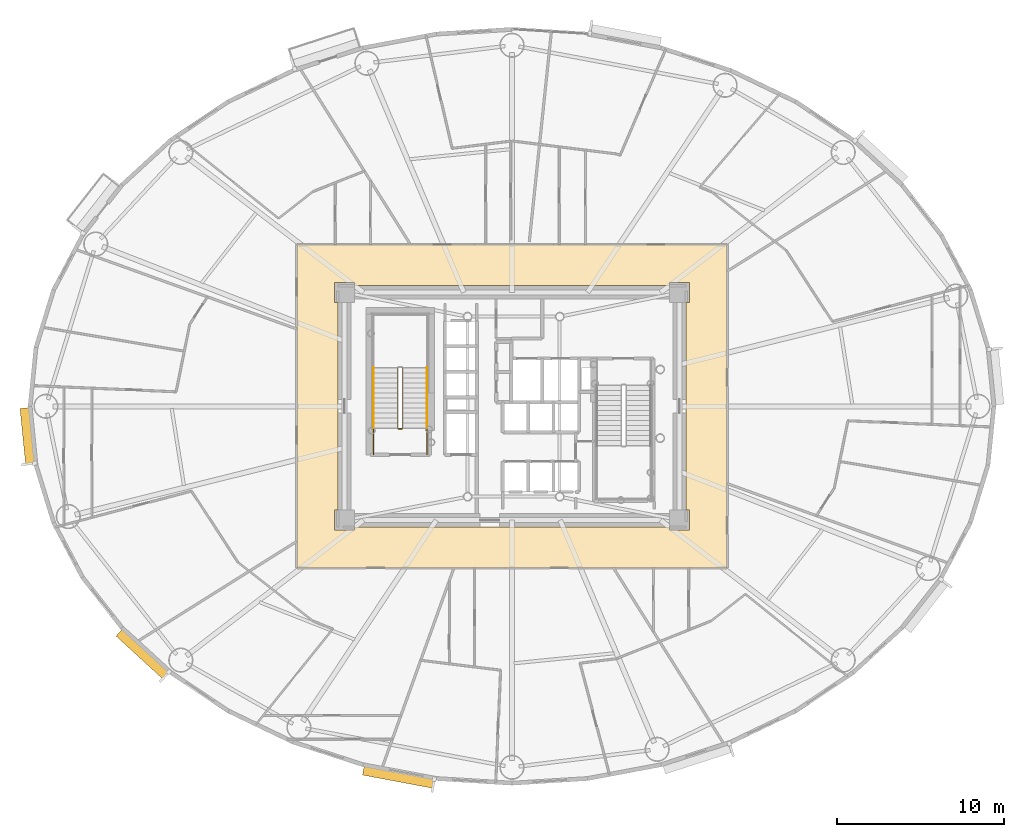
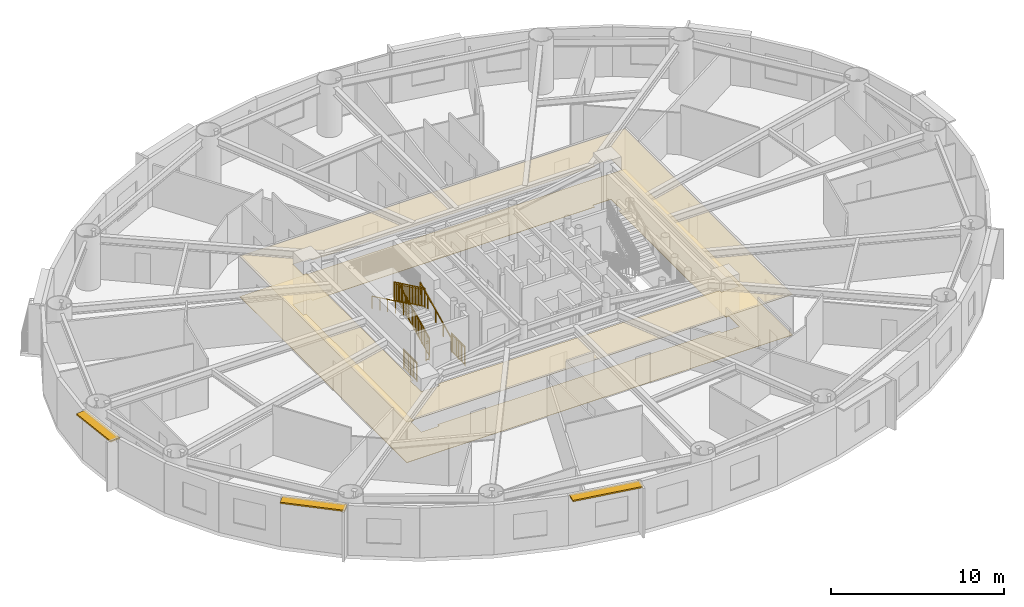
# One storey, part 14 of 19: 7 railings, 3 shading devices, 2 coverings.
"""IFC4 building model written with IfcOpenShell, lengths in metres."""

from ifc_helpers import new_model, si_unit, direction, frame, origin, origin_2d, place, context, subcontext, project, spatial, polyline, rectangle, outline, extrude, source, transform, mapped, material, layer, layer_set, type_object, element, save


model = new_model("IFC4")

# Units and contexts
model_context = context("Model", 3, precision=1e-05, world=origin(), true_north=direction((0.0, 1.0)))
body_context = subcontext(model_context, "Body", "Model", "MODEL_VIEW")
ifc_project = project(units=[si_unit("LENGTHUNIT", "METRE"), si_unit("AREAUNIT", "SQUARE_METRE"), si_unit("VOLUMEUNIT", "CUBIC_METRE"), si_unit("PLANEANGLEUNIT", "RADIAN"), si_unit("MASSUNIT", "GRAM", prefix="KILO")], contexts=[model_context])

# Site, building, storey
site_placement = place(None, origin())
site = spatial("IfcSite", under=ifc_project, at=site_placement, CompositionType="ELEMENT")
building_placement = place(site_placement, origin())
building = spatial("IfcBuilding", under=site, at=building_placement, Name="Linh Dai School and Residence Tower", CompositionType="ELEMENT")
storey_placement = place(building_placement, frame((0.0, 0.0, 119.699951171875)))
storey = spatial("IfcBuildingStorey", under=building, at=storey_placement, Name="L28", CompositionType="ELEMENT", Elevation=119.699951171875)

# Coverings
ifc_material_1 = material(Name="Mineral Fibre Acoustic Suspended Ceiling", Category="masonry")
ifc_layer_1 = layer(ifc_material_1, 0.02001953125)
ifc_layer_set_1 = layer_set([ifc_layer_1], Name="Mineral Fibre Acoustic Suspended Ceiling")
covering_type_1 = type_object("IfcCoveringType", Name="COV-CEIL-AC-20", PredefinedType="CEILING", material=ifc_layer_set_1)
covering_1_placement = place(storey_placement, frame((0.0, 0.0, 2.85009765625)))
element("IfcCovering", 1, at=covering_1_placement, inside=storey, type_object=covering_type_1, Name="L28 Residential Floor Corridor Suspended Ceiling", PredefinedType="CEILING", context=body_context, shape_type="SweptSolid", body=[
    extrude(outline(polyline([(48.85009765625, 36.64990234375), (48.85009765625, 17.35009765625), (23.14990234375, 17.35009765625), (23.14990234375, 36.64990234375), (48.85009765625, 36.64990234375)]), holes=[polyline([(26.60009765625, 34.199951171875), (26.60009765625, 34.39990234375), (25.39990234375, 34.39990234375), (25.39990234375, 33.199951171875), (25.60009765625, 33.199951171875), (25.60009765625, 20.800048828125), (25.39990234375, 20.800048828125), (25.39990234375, 19.60009765625), (26.60009765625, 19.60009765625), (26.60009765625, 19.800048828125), (45.39990234375, 19.800048828125), (45.39990234375, 19.60009765625), (46.60009765625, 19.60009765625), (46.60009765625, 20.800048828125), (46.39990234375, 20.800048828125), (46.39990234375, 33.199951171875), (46.60009765625, 33.199951171875), (46.60009765625, 34.39990234375), (45.39990234375, 34.39990234375), (45.39990234375, 34.199951171875), (26.60009765625, 34.199951171875)])]), origin(), (0.0, 0.0, 1.0), 0.02001953125),
])
ifc_material_2 = material(Name="Polished Terrazzo Floor Finish", Category="masonry")
ifc_layer_2 = layer(ifc_material_2, 0.02490234375)
ifc_layer_set_2 = layer_set([ifc_layer_2], Name="Polished Terrazzo Floor Finish")
covering_type_2 = type_object("IfcCoveringType", Name="COV-FLR-TRZ-25", PredefinedType="FLOORING", material=ifc_layer_set_2)
covering_2_placement = place(storey_placement, origin())
element("IfcCovering", 2, at=covering_2_placement, inside=storey, type_object=covering_type_2, Name="L28 Residential Floor Corridor Floor Finish", PredefinedType="FLOORING", context=body_context, shape_type="SweptSolid", body=[
    extrude(outline(polyline([(48.85009765625, 36.64990234375), (48.85009765625, 17.35009765625), (23.14990234375, 17.35009765625), (23.14990234375, 36.64990234375), (48.85009765625, 36.64990234375)]), holes=[polyline([(26.60009765625, 34.199951171875), (26.60009765625, 34.39990234375), (25.39990234375, 34.39990234375), (25.39990234375, 33.199951171875), (25.60009765625, 33.199951171875), (25.60009765625, 20.800048828125), (25.39990234375, 20.800048828125), (25.39990234375, 19.60009765625), (26.60009765625, 19.60009765625), (26.60009765625, 19.800048828125), (45.39990234375, 19.800048828125), (45.39990234375, 19.60009765625), (46.60009765625, 19.60009765625), (46.60009765625, 20.800048828125), (46.39990234375, 20.800048828125), (46.39990234375, 33.199951171875), (46.60009765625, 33.199951171875), (46.60009765625, 34.39990234375), (45.39990234375, 34.39990234375), (45.39990234375, 34.199951171875), (26.60009765625, 34.199951171875)])]), origin(), (0.0, 0.0, 1.0), 0.02001953125),
])

# Shading devices
ifc_material_3 = material(Name="Terracotta Ceramic Sunshade", Category="masonry")
ifc_layer_3 = layer(ifc_material_3, 0.10009765625)
ifc_layer_set_3 = layer_set([ifc_layer_3], Name="Terracotta Ceramic Sunshade")
shading_device_type = type_object("IfcShadingDeviceType", Name="SHD-TC-650", PredefinedType="USERDEFINED", material=ifc_layer_set_3)
shared_shape_1 = source(origin(), body_context, "Body", "SweptSolid", [
    extrude(rectangle(XDim=3.3916015625, YDim=0.64990234375, at=origin_2d()), origin(), (0.0, 0.0, 1.0), 0.10009765625),
])
shading_device_1_placement = place(storey_placement, frame((7.1181640625, 25.2138671875, 3.3798828125), z_axis=(0.0, 0.0, 1.0), x_axis=(-0.100007297192, 0.994986703684, 0.0)))
element("IfcShadingDevice", 3, at=shading_device_1_placement, inside=storey, type_object=shading_device_type, Name="L28 Terracotta Horizontal Sunshade Band 21", ObjectType="SUNSHADE", PredefinedType="USERDEFINED", context=body_context, shape_type="MappedRepresentation", body=[
    mapped(shared_shape_1, transform((0.0, 0.0, 0.0), x_axis=(1.0, 0.0, 0.0), y_axis=(0.0, 1.0, 0.0), z_axis=(0.0, 0.0, 1.0), scale=1.0)),
])
shared_shape_2 = source(origin(), body_context, "Body", "SweptSolid", [
    extrude(rectangle(XDim=3.81689453125, YDim=0.64990234375, at=origin_2d()), origin(), (0.0, 0.0, 1.0), 0.10009765625),
])
shading_device_2_placement = place(storey_placement, frame((13.983642578125, 12.22998046875, 3.3798828125), z_axis=(0.0, 0.0, 1.0), x_axis=(-0.737100266172, 0.675783395482, 0.0)))
element("IfcShadingDevice", 4, at=shading_device_2_placement, inside=storey, type_object=shading_device_type, Name="L28 Terracotta Horizontal Sunshade Band 25", ObjectType="SUNSHADE", PredefinedType="USERDEFINED", context=body_context, shape_type="MappedRepresentation", body=[
    mapped(shared_shape_2, transform((0.0, 0.0, 0.0), x_axis=(1.0, 0.0, 0.0), y_axis=(0.0, 1.0, 0.0), z_axis=(0.0, 0.0, 1.0), scale=1.0)),
])
shared_shape_3 = source(origin(), body_context, "Body", "SweptSolid", [
    extrude(rectangle(XDim=4.292236328125, YDim=0.64990234375, at=origin_2d()), origin(), (0.0, 0.0, 1.0), 0.10009765625),
])
shading_device_3_placement = place(storey_placement, frame((29.24462890625, 4.905517578125, 3.3798828125), z_axis=(0.0, 0.0, 1.0), x_axis=(-0.982784673718, 0.18475466193, 0.0)))
element("IfcShadingDevice", 5, at=shading_device_3_placement, inside=storey, type_object=shading_device_type, Name="L28 Terracotta Horizontal Sunshade Band 29", ObjectType="SUNSHADE", PredefinedType="USERDEFINED", context=body_context, shape_type="MappedRepresentation", body=[
    mapped(shared_shape_3, transform((0.0, 0.0, 0.0), x_axis=(1.0, 0.0, 0.0), y_axis=(0.0, 1.0, 0.0), z_axis=(0.0, 0.0, 1.0), scale=1.0)),
])

# Railings
ifc_material_4 = material(Name="Structural Steel S355JR", Category="steel")
railing_type_1 = type_object("IfcRailingType", Name="RL-ST-GUARD-1400", PredefinedType="GUARDRAIL", material=ifc_material_4)
shared_shape_4 = source(origin(), body_context, "Body", "SweptSolid", [
    extrude(rectangle(XDim=0.048095703125, YDim=0.048095703125, at=origin_2d()), frame((0.0, 0.0, 1.3759765625), z_axis=(-1.0, 0.0, 0.0), x_axis=(0.0, -1.0, 0.0)), (0.0, 0.0, 1.0), 0.199951171875),
    extrude(rectangle(XDim=0.048095703125, YDim=0.048095703125, at=origin_2d()), frame((0.0, 0.0, 0.10009765625), z_axis=(-1.0, 0.0, 0.0), x_axis=(0.0, -1.0, 0.0)), (0.0, 0.0, 1.0), 0.199951171875),
    extrude(rectangle(XDim=0.030029296875, YDim=0.030029296875, at=origin_2d()), frame((0.0, 0.0, 1.239990234375), z_axis=(-1.0, 0.0, 0.0), x_axis=(0.0, -1.0, 0.0)), (0.0, 0.0, 1.0), 0.199951171875),
    extrude(rectangle(XDim=0.0419921875, YDim=0.0419921875, at=origin_2d()), origin(), (0.0, 0.0, 1.0), 1.3759765625),
    extrude(rectangle(XDim=0.0419921875, YDim=0.0419921875, at=origin_2d()), frame((-0.199951171875, 0.0, 0.0)), (0.0, 0.0, 1.0), 1.3759765625),
])
railing_1_placement = place(storey_placement, frame((29.429931640625, 25.64990234375, 0.0)))
element("IfcRailing", 6, at=railing_1_placement, inside=storey, type_object=railing_type_1, Name="L28 ST1 stair guard 7", PredefinedType="GUARDRAIL", context=body_context, shape_type="MappedRepresentation", body=[
    mapped(shared_shape_4, transform((0.0, 0.0, 0.0), x_axis=(1.0, 0.0, 0.0), y_axis=(0.0, 1.0, 0.0), z_axis=(0.0, 0.0, 1.0), scale=1.0)),
])
shared_shape_5 = source(origin(), body_context, "Body", "SweptSolid", [
    extrude(rectangle(XDim=0.048095703125, YDim=0.048095703125, at=origin_2d()), frame((0.0, 0.0, 1.3759765625), z_axis=(0.0, 1.0, 0.0), x_axis=(-1.0, 0.0, 0.0)), (0.0, 0.0, 1.0), 1.599853515625),
    extrude(rectangle(XDim=0.048095703125, YDim=0.048095703125, at=origin_2d()), frame((0.0, 0.0, 0.10009765625), z_axis=(0.0, 1.0, 0.0), x_axis=(-1.0, 0.0, 0.0)), (0.0, 0.0, 1.0), 1.599853515625),
    extrude(rectangle(XDim=0.030029296875, YDim=0.030029296875, at=origin_2d()), frame((0.0, 0.0, 1.239990234375), z_axis=(0.0, 1.0, 0.0), x_axis=(-1.0, 0.0, 0.0)), (0.0, 0.0, 1.0), 1.599853515625),
    extrude(rectangle(XDim=0.02001953125, YDim=0.02001953125, at=origin_2d()), frame((0.0, 0.093994140625, 0.10009765625)), (0.0, 0.0, 1.0), 1.251708984375),
    extrude(rectangle(XDim=0.02001953125, YDim=0.02001953125, at=origin_2d()), frame((0.0, 0.188232421875, 0.10009765625)), (0.0, 0.0, 1.0), 1.251708984375),
    extrude(rectangle(XDim=0.02001953125, YDim=0.02001953125, at=origin_2d()), frame((0.0, 0.2822265625, 0.10009765625)), (0.0, 0.0, 1.0), 1.251708984375),
    extrude(rectangle(XDim=0.02001953125, YDim=0.02001953125, at=origin_2d()), frame((0.0, 0.37646484375, 0.10009765625)), (0.0, 0.0, 1.0), 1.251708984375),
    extrude(rectangle(XDim=0.02001953125, YDim=0.02001953125, at=origin_2d()), frame((0.0, 0.470458984375, 0.10009765625)), (0.0, 0.0, 1.0), 1.251708984375),
    extrude(rectangle(XDim=0.02001953125, YDim=0.02001953125, at=origin_2d()), frame((0.0, 0.564697265625, 0.10009765625)), (0.0, 0.0, 1.0), 1.251708984375),
    extrude(rectangle(XDim=0.02001953125, YDim=0.02001953125, at=origin_2d()), frame((0.0, 0.65869140625, 0.10009765625)), (0.0, 0.0, 1.0), 1.251708984375),
    extrude(rectangle(XDim=0.02001953125, YDim=0.02001953125, at=origin_2d()), frame((0.0, 0.7529296875, 0.10009765625)), (0.0, 0.0, 1.0), 1.251708984375),
    extrude(rectangle(XDim=0.02001953125, YDim=0.02001953125, at=origin_2d()), frame((0.0, 0.846923828125, 0.10009765625)), (0.0, 0.0, 1.0), 1.251708984375),
    extrude(rectangle(XDim=0.02001953125, YDim=0.02001953125, at=origin_2d()), frame((0.0, 0.941162109375, 0.10009765625)), (0.0, 0.0, 1.0), 1.251708984375),
    extrude(rectangle(XDim=0.02001953125, YDim=0.02001953125, at=origin_2d()), frame((0.0, 1.03515625, 0.10009765625)), (0.0, 0.0, 1.0), 1.251708984375),
    extrude(rectangle(XDim=0.02001953125, YDim=0.02001953125, at=origin_2d()), frame((0.0, 1.12939453125, 0.10009765625)), (0.0, 0.0, 1.0), 1.251708984375),
    extrude(rectangle(XDim=0.02001953125, YDim=0.02001953125, at=origin_2d()), frame((0.0, 1.223388671875, 0.10009765625)), (0.0, 0.0, 1.0), 1.251708984375),
    extrude(rectangle(XDim=0.02001953125, YDim=0.02001953125, at=origin_2d()), frame((0.0, 1.317626953125, 0.10009765625)), (0.0, 0.0, 1.0), 1.251708984375),
    extrude(rectangle(XDim=0.02001953125, YDim=0.02001953125, at=origin_2d()), frame((0.0, 1.41162109375, 0.10009765625)), (0.0, 0.0, 1.0), 1.251708984375),
    extrude(rectangle(XDim=0.02001953125, YDim=0.02001953125, at=origin_2d()), frame((0.0, 1.505859375, 0.10009765625)), (0.0, 0.0, 1.0), 1.251708984375),
    extrude(rectangle(XDim=0.0419921875, YDim=0.0419921875, at=origin_2d()), origin(), (0.0, 0.0, 1.0), 1.3759765625),
    extrude(rectangle(XDim=0.0419921875, YDim=0.0419921875, at=origin_2d()), frame((0.0, 0.7998046875, 0.0)), (0.0, 0.0, 1.0), 1.3759765625),
    extrude(rectangle(XDim=0.0419921875, YDim=0.0419921875, at=origin_2d()), frame((0.0, 1.599853515625, 0.0)), (0.0, 0.0, 1.0), 1.3759765625),
])
for number, where, name in (
    (7, (30.929931640625, 24.10009765625, 0.0), "L28 ST1 stair guard 8"),
    (8, (27.72998046875, 24.10009765625, 0.0), "L28 ST1 stair guard 9"),
):
    element("IfcRailing", number, at=place(storey_placement, frame(where)), inside=storey, type_object=railing_type_1, Name=name, PredefinedType="GUARDRAIL", context=body_context, shape_type="MappedRepresentation", body=[
        mapped(shared_shape_5, transform((0.0, 0.0, 0.0), x_axis=(1.0, 0.0, 0.0), y_axis=(0.0, 1.0, 0.0), z_axis=(0.0, 0.0, 1.0), scale=1.0)),
    ])
shared_shape_6 = source(origin(), body_context, "Body", "SweptSolid", [
    extrude(rectangle(XDim=0.048095703125, YDim=0.048095703125, at=origin_2d()), frame((0.0, 0.0, 1.3759765625), z_axis=(0.0, 0.901262522062, 0.433273431364), x_axis=(-1.0, 0.0, 0.0)), (0.0, 0.0, 1.0), 3.994384765625),
    extrude(rectangle(XDim=0.048095703125, YDim=0.048095703125, at=origin_2d()), frame((0.0, 0.0, 0.10009765625), z_axis=(0.0, 0.901262522062, 0.433273431364), x_axis=(-1.0, 0.0, 0.0)), (0.0, 0.0, 1.0), 3.994384765625),
    extrude(rectangle(XDim=0.030029296875, YDim=0.030029296875, at=origin_2d()), frame((0.0, 0.0, 1.239990234375), z_axis=(0.0, 0.901262522062, 0.433273431364), x_axis=(-1.0, 0.0, 0.0)), (0.0, 0.0, 1.0), 3.994384765625),
    extrude(rectangle(XDim=0.02001953125, YDim=0.02001953125, at=origin_2d()), frame((0.0, 0.087890625, 0.142333984375)), (0.0, 0.0, 1.0), 1.251708984375),
    extrude(rectangle(XDim=0.02001953125, YDim=0.02001953125, at=origin_2d()), frame((0.0, 0.175537109375, 0.1845703125)), (0.0, 0.0, 1.0), 1.251708984375),
    extrude(rectangle(XDim=0.02001953125, YDim=0.02001953125, at=origin_2d()), frame((0.0, 0.263427734375, 0.226806640625)), (0.0, 0.0, 1.0), 1.251708984375),
    extrude(rectangle(XDim=0.02001953125, YDim=0.02001953125, at=origin_2d()), frame((0.0, 0.351318359375, 0.26904296875)), (0.0, 0.0, 1.0), 1.251708984375),
    extrude(rectangle(XDim=0.02001953125, YDim=0.02001953125, at=origin_2d()), frame((0.0, 0.43896484375, 0.311279296875)), (0.0, 0.0, 1.0), 1.251708984375),
    extrude(rectangle(XDim=0.02001953125, YDim=0.02001953125, at=origin_2d()), frame((0.0, 0.52685546875, 0.353271484375)), (0.0, 0.0, 1.0), 1.251708984375),
    extrude(rectangle(XDim=0.02001953125, YDim=0.02001953125, at=origin_2d()), frame((0.0, 0.61474609375, 0.3955078125)), (0.0, 0.0, 1.0), 1.251708984375),
    extrude(rectangle(XDim=0.02001953125, YDim=0.02001953125, at=origin_2d()), frame((0.0, 0.702392578125, 0.437744140625)), (0.0, 0.0, 1.0), 1.251708984375),
    extrude(rectangle(XDim=0.02001953125, YDim=0.02001953125, at=origin_2d()), frame((0.0, 0.790283203125, 0.47998046875)), (0.0, 0.0, 1.0), 1.251708984375),
    extrude(rectangle(XDim=0.02001953125, YDim=0.02001953125, at=origin_2d()), frame((0.0, 0.9658203125, 0.564453125)), (0.0, 0.0, 1.0), 1.251708984375),
    extrude(rectangle(XDim=0.02001953125, YDim=0.02001953125, at=origin_2d()), frame((0.0, 1.0537109375, 0.606689453125)), (0.0, 0.0, 1.0), 1.251708984375),
    extrude(rectangle(XDim=0.02001953125, YDim=0.02001953125, at=origin_2d()), frame((0.0, 1.1416015625, 0.64892578125)), (0.0, 0.0, 1.0), 1.251708984375),
    extrude(rectangle(XDim=0.02001953125, YDim=0.02001953125, at=origin_2d()), frame((0.0, 1.229248046875, 0.691162109375)), (0.0, 0.0, 1.0), 1.251708984375),
    extrude(rectangle(XDim=0.02001953125, YDim=0.02001953125, at=origin_2d()), frame((0.0, 1.317138671875, 0.7333984375)), (0.0, 0.0, 1.0), 1.251708984375),
    extrude(rectangle(XDim=0.02001953125, YDim=0.02001953125, at=origin_2d()), frame((0.0, 1.405029296875, 0.775390625)), (0.0, 0.0, 1.0), 1.251708984375),
    extrude(rectangle(XDim=0.02001953125, YDim=0.02001953125, at=origin_2d()), frame((0.0, 1.49267578125, 0.817626953125)), (0.0, 0.0, 1.0), 1.251708984375),
    extrude(rectangle(XDim=0.02001953125, YDim=0.02001953125, at=origin_2d()), frame((0.0, 1.58056640625, 0.85986328125)), (0.0, 0.0, 1.0), 1.251708984375),
    extrude(rectangle(XDim=0.02001953125, YDim=0.02001953125, at=origin_2d()), frame((0.0, 1.66845703125, 0.902099609375)), (0.0, 0.0, 1.0), 1.251708984375),
    extrude(rectangle(XDim=0.02001953125, YDim=0.02001953125, at=origin_2d()), frame((0.0, 1.756103515625, 0.9443359375)), (0.0, 0.0, 1.0), 1.251708984375),
    extrude(rectangle(XDim=0.02001953125, YDim=0.02001953125, at=origin_2d()), frame((0.0, 1.843994140625, 0.986572265625)), (0.0, 0.0, 1.0), 1.251708984375),
    extrude(rectangle(XDim=0.02001953125, YDim=0.02001953125, at=origin_2d()), frame((0.0, 1.931640625, 1.02880859375)), (0.0, 0.0, 1.0), 1.251708984375),
    extrude(rectangle(XDim=0.02001953125, YDim=0.02001953125, at=origin_2d()), frame((0.0, 2.01953125, 1.071044921875)), (0.0, 0.0, 1.0), 1.251708984375),
    extrude(rectangle(XDim=0.02001953125, YDim=0.02001953125, at=origin_2d()), frame((0.0, 2.107421875, 1.11328125)), (0.0, 0.0, 1.0), 1.251708984375),
    extrude(rectangle(XDim=0.02001953125, YDim=0.02001953125, at=origin_2d()), frame((0.0, 2.195068359375, 1.155517578125)), (0.0, 0.0, 1.0), 1.251708984375),
    extrude(rectangle(XDim=0.02001953125, YDim=0.02001953125, at=origin_2d()), frame((0.0, 2.282958984375, 1.197509765625)), (0.0, 0.0, 1.0), 1.251708984375),
    extrude(rectangle(XDim=0.02001953125, YDim=0.02001953125, at=origin_2d()), frame((0.0, 2.370849609375, 1.23974609375)), (0.0, 0.0, 1.0), 1.251708984375),
    extrude(rectangle(XDim=0.02001953125, YDim=0.02001953125, at=origin_2d()), frame((0.0, 2.45849609375, 1.281982421875)), (0.0, 0.0, 1.0), 1.251708984375),
    extrude(rectangle(XDim=0.02001953125, YDim=0.02001953125, at=origin_2d()), frame((0.0, 2.54638671875, 1.32421875)), (0.0, 0.0, 1.0), 1.251708984375),
    extrude(rectangle(XDim=0.02001953125, YDim=0.02001953125, at=origin_2d()), frame((0.0, 2.63427734375, 1.366455078125)), (0.0, 0.0, 1.0), 1.251708984375),
    extrude(rectangle(XDim=0.02001953125, YDim=0.02001953125, at=origin_2d()), frame((0.0, 2.809814453125, 1.450927734375)), (0.0, 0.0, 1.0), 1.251708984375),
    extrude(rectangle(XDim=0.02001953125, YDim=0.02001953125, at=origin_2d()), frame((0.0, 2.897705078125, 1.4931640625)), (0.0, 0.0, 1.0), 1.251708984375),
    extrude(rectangle(XDim=0.02001953125, YDim=0.02001953125, at=origin_2d()), frame((0.0, 2.9853515625, 1.535400390625)), (0.0, 0.0, 1.0), 1.251708984375),
    extrude(rectangle(XDim=0.02001953125, YDim=0.02001953125, at=origin_2d()), frame((0.0, 3.0732421875, 1.57763671875)), (0.0, 0.0, 1.0), 1.251708984375),
    extrude(rectangle(XDim=0.02001953125, YDim=0.02001953125, at=origin_2d()), frame((0.0, 3.1611328125, 1.61962890625)), (0.0, 0.0, 1.0), 1.251708984375),
    extrude(rectangle(XDim=0.02001953125, YDim=0.02001953125, at=origin_2d()), frame((0.0, 3.248779296875, 1.661865234375)), (0.0, 0.0, 1.0), 1.251708984375),
    extrude(rectangle(XDim=0.02001953125, YDim=0.02001953125, at=origin_2d()), frame((0.0, 3.336669921875, 1.7041015625)), (0.0, 0.0, 1.0), 1.251708984375),
    extrude(rectangle(XDim=0.02001953125, YDim=0.02001953125, at=origin_2d()), frame((0.0, 3.424560546875, 1.746337890625)), (0.0, 0.0, 1.0), 1.251708984375),
    extrude(rectangle(XDim=0.02001953125, YDim=0.02001953125, at=origin_2d()), frame((0.0, 3.51220703125, 1.78857421875)), (0.0, 0.0, 1.0), 1.251708984375),
    extrude(rectangle(XDim=0.0419921875, YDim=0.0419921875, at=origin_2d()), origin(), (0.0, 0.0, 1.0), 1.3759765625),
    extrude(rectangle(XDim=0.0419921875, YDim=0.0419921875, at=origin_2d()), frame((0.0, 0.89990234375, 0.4326171875)), (0.0, 0.0, 1.0), 1.3759765625),
    extrude(rectangle(XDim=0.0419921875, YDim=0.0419921875, at=origin_2d()), frame((0.0, 1.800048828125, 0.865234375)), (0.0, 0.0, 1.0), 1.3759765625),
    extrude(rectangle(XDim=0.0419921875, YDim=0.0419921875, at=origin_2d()), frame((0.0, 2.7001953125, 1.298095703125)), (0.0, 0.0, 1.0), 1.3759765625),
    extrude(rectangle(XDim=0.0419921875, YDim=0.0419921875, at=origin_2d()), frame((0.0, 3.60009765625, 1.730712890625)), (0.0, 0.0, 1.0), 1.3759765625),
])
railing_2_placement = place(storey_placement, frame((29.47998046875, 25.699951171875, 0.144287109375)))
element("IfcRailing", 9, at=railing_2_placement, inside=storey, type_object=railing_type_1, Name="L28 ST1 stair guard 1", PredefinedType="GUARDRAIL", context=body_context, shape_type="MappedRepresentation", body=[
    mapped(shared_shape_6, transform((0.0, 0.0, 0.0), x_axis=(1.0, 0.0, 0.0), y_axis=(0.0, 1.0, 0.0), z_axis=(0.0, 0.0, 1.0), scale=1.0)),
])
shared_shape_7 = source(origin(), body_context, "Body", "SweptSolid", [
    extrude(rectangle(XDim=0.048095703125, YDim=0.048095703125, at=origin_2d()), frame((0.0, 0.0, 1.3759765625), z_axis=(0.0, -0.901262522062, 0.433273431364), x_axis=(1.0, 0.0, 0.0)), (0.0, 0.0, 1.0), 3.994384765625),
    extrude(rectangle(XDim=0.048095703125, YDim=0.048095703125, at=origin_2d()), frame((0.0, 0.0, 0.10009765625), z_axis=(0.0, -0.901262522062, 0.433273431364), x_axis=(1.0, 0.0, 0.0)), (0.0, 0.0, 1.0), 3.994384765625),
    extrude(rectangle(XDim=0.030029296875, YDim=0.030029296875, at=origin_2d()), frame((0.0, 0.0, 1.239990234375), z_axis=(0.0, -0.901262522062, 0.433273431364), x_axis=(1.0, 0.0, 0.0)), (0.0, 0.0, 1.0), 3.994384765625),
    extrude(rectangle(XDim=0.02001953125, YDim=0.02001953125, at=origin_2d()), frame((0.0, -0.087890625, 0.142333984375)), (0.0, 0.0, 1.0), 1.251708984375),
    extrude(rectangle(XDim=0.02001953125, YDim=0.02001953125, at=origin_2d()), frame((0.0, -0.175537109375, 0.1845703125)), (0.0, 0.0, 1.0), 1.251708984375),
    extrude(rectangle(XDim=0.02001953125, YDim=0.02001953125, at=origin_2d()), frame((0.0, -0.263427734375, 0.226806640625)), (0.0, 0.0, 1.0), 1.251708984375),
    extrude(rectangle(XDim=0.02001953125, YDim=0.02001953125, at=origin_2d()), frame((0.0, -0.351318359375, 0.26904296875)), (0.0, 0.0, 1.0), 1.251708984375),
    extrude(rectangle(XDim=0.02001953125, YDim=0.02001953125, at=origin_2d()), frame((0.0, -0.43896484375, 0.311279296875)), (0.0, 0.0, 1.0), 1.251708984375),
    extrude(rectangle(XDim=0.02001953125, YDim=0.02001953125, at=origin_2d()), frame((0.0, -0.52685546875, 0.353271484375)), (0.0, 0.0, 1.0), 1.251708984375),
    extrude(rectangle(XDim=0.02001953125, YDim=0.02001953125, at=origin_2d()), frame((0.0, -0.61474609375, 0.3955078125)), (0.0, 0.0, 1.0), 1.251708984375),
    extrude(rectangle(XDim=0.02001953125, YDim=0.02001953125, at=origin_2d()), frame((0.0, -0.702392578125, 0.437744140625)), (0.0, 0.0, 1.0), 1.251708984375),
    extrude(rectangle(XDim=0.02001953125, YDim=0.02001953125, at=origin_2d()), frame((0.0, -0.790283203125, 0.47998046875)), (0.0, 0.0, 1.0), 1.251708984375),
    extrude(rectangle(XDim=0.02001953125, YDim=0.02001953125, at=origin_2d()), frame((0.0, -0.9658203125, 0.564453125)), (0.0, 0.0, 1.0), 1.251708984375),
    extrude(rectangle(XDim=0.02001953125, YDim=0.02001953125, at=origin_2d()), frame((0.0, -1.0537109375, 0.606689453125)), (0.0, 0.0, 1.0), 1.251708984375),
    extrude(rectangle(XDim=0.02001953125, YDim=0.02001953125, at=origin_2d()), frame((0.0, -1.1416015625, 0.64892578125)), (0.0, 0.0, 1.0), 1.251708984375),
    extrude(rectangle(XDim=0.02001953125, YDim=0.02001953125, at=origin_2d()), frame((0.0, -1.229248046875, 0.691162109375)), (0.0, 0.0, 1.0), 1.251708984375),
    extrude(rectangle(XDim=0.02001953125, YDim=0.02001953125, at=origin_2d()), frame((0.0, -1.317138671875, 0.7333984375)), (0.0, 0.0, 1.0), 1.251708984375),
    extrude(rectangle(XDim=0.02001953125, YDim=0.02001953125, at=origin_2d()), frame((0.0, -1.405029296875, 0.775390625)), (0.0, 0.0, 1.0), 1.251708984375),
    extrude(rectangle(XDim=0.02001953125, YDim=0.02001953125, at=origin_2d()), frame((0.0, -1.49267578125, 0.817626953125)), (0.0, 0.0, 1.0), 1.251708984375),
    extrude(rectangle(XDim=0.02001953125, YDim=0.02001953125, at=origin_2d()), frame((0.0, -1.58056640625, 0.85986328125)), (0.0, 0.0, 1.0), 1.251708984375),
    extrude(rectangle(XDim=0.02001953125, YDim=0.02001953125, at=origin_2d()), frame((0.0, -1.66845703125, 0.902099609375)), (0.0, 0.0, 1.0), 1.251708984375),
    extrude(rectangle(XDim=0.02001953125, YDim=0.02001953125, at=origin_2d()), frame((0.0, -1.756103515625, 0.9443359375)), (0.0, 0.0, 1.0), 1.251708984375),
    extrude(rectangle(XDim=0.02001953125, YDim=0.02001953125, at=origin_2d()), frame((0.0, -1.843994140625, 0.986572265625)), (0.0, 0.0, 1.0), 1.251708984375),
    extrude(rectangle(XDim=0.02001953125, YDim=0.02001953125, at=origin_2d()), frame((0.0, -1.931640625, 1.02880859375)), (0.0, 0.0, 1.0), 1.251708984375),
    extrude(rectangle(XDim=0.02001953125, YDim=0.02001953125, at=origin_2d()), frame((0.0, -2.01953125, 1.071044921875)), (0.0, 0.0, 1.0), 1.251708984375),
    extrude(rectangle(XDim=0.02001953125, YDim=0.02001953125, at=origin_2d()), frame((0.0, -2.107421875, 1.11328125)), (0.0, 0.0, 1.0), 1.251708984375),
    extrude(rectangle(XDim=0.02001953125, YDim=0.02001953125, at=origin_2d()), frame((0.0, -2.195068359375, 1.155517578125)), (0.0, 0.0, 1.0), 1.251708984375),
    extrude(rectangle(XDim=0.02001953125, YDim=0.02001953125, at=origin_2d()), frame((0.0, -2.282958984375, 1.197509765625)), (0.0, 0.0, 1.0), 1.251708984375),
    extrude(rectangle(XDim=0.02001953125, YDim=0.02001953125, at=origin_2d()), frame((0.0, -2.370849609375, 1.23974609375)), (0.0, 0.0, 1.0), 1.251708984375),
    extrude(rectangle(XDim=0.02001953125, YDim=0.02001953125, at=origin_2d()), frame((0.0, -2.45849609375, 1.281982421875)), (0.0, 0.0, 1.0), 1.251708984375),
    extrude(rectangle(XDim=0.02001953125, YDim=0.02001953125, at=origin_2d()), frame((0.0, -2.54638671875, 1.32421875)), (0.0, 0.0, 1.0), 1.251708984375),
    extrude(rectangle(XDim=0.02001953125, YDim=0.02001953125, at=origin_2d()), frame((0.0, -2.63427734375, 1.366455078125)), (0.0, 0.0, 1.0), 1.251708984375),
    extrude(rectangle(XDim=0.02001953125, YDim=0.02001953125, at=origin_2d()), frame((0.0, -2.809814453125, 1.450927734375)), (0.0, 0.0, 1.0), 1.251708984375),
    extrude(rectangle(XDim=0.02001953125, YDim=0.02001953125, at=origin_2d()), frame((0.0, -2.897705078125, 1.4931640625)), (0.0, 0.0, 1.0), 1.251708984375),
    extrude(rectangle(XDim=0.02001953125, YDim=0.02001953125, at=origin_2d()), frame((0.0, -2.9853515625, 1.535400390625)), (0.0, 0.0, 1.0), 1.251708984375),
    extrude(rectangle(XDim=0.02001953125, YDim=0.02001953125, at=origin_2d()), frame((0.0, -3.0732421875, 1.57763671875)), (0.0, 0.0, 1.0), 1.251708984375),
    extrude(rectangle(XDim=0.02001953125, YDim=0.02001953125, at=origin_2d()), frame((0.0, -3.1611328125, 1.61962890625)), (0.0, 0.0, 1.0), 1.251708984375),
    extrude(rectangle(XDim=0.02001953125, YDim=0.02001953125, at=origin_2d()), frame((0.0, -3.248779296875, 1.661865234375)), (0.0, 0.0, 1.0), 1.251708984375),
    extrude(rectangle(XDim=0.02001953125, YDim=0.02001953125, at=origin_2d()), frame((0.0, -3.336669921875, 1.7041015625)), (0.0, 0.0, 1.0), 1.251708984375),
    extrude(rectangle(XDim=0.02001953125, YDim=0.02001953125, at=origin_2d()), frame((0.0, -3.424560546875, 1.746337890625)), (0.0, 0.0, 1.0), 1.251708984375),
    extrude(rectangle(XDim=0.02001953125, YDim=0.02001953125, at=origin_2d()), frame((0.0, -3.51220703125, 1.78857421875)), (0.0, 0.0, 1.0), 1.251708984375),
    extrude(rectangle(XDim=0.0419921875, YDim=0.0419921875, at=origin_2d()), origin(), (0.0, 0.0, 1.0), 1.3759765625),
    extrude(rectangle(XDim=0.0419921875, YDim=0.0419921875, at=origin_2d()), frame((0.0, -0.89990234375, 0.4326171875)), (0.0, 0.0, 1.0), 1.3759765625),
    extrude(rectangle(XDim=0.0419921875, YDim=0.0419921875, at=origin_2d()), frame((0.0, -1.800048828125, 0.865234375)), (0.0, 0.0, 1.0), 1.3759765625),
    extrude(rectangle(XDim=0.0419921875, YDim=0.0419921875, at=origin_2d()), frame((0.0, -2.7001953125, 1.298095703125)), (0.0, 0.0, 1.0), 1.3759765625),
    extrude(rectangle(XDim=0.0419921875, YDim=0.0419921875, at=origin_2d()), frame((0.0, -3.60009765625, 1.730712890625)), (0.0, 0.0, 1.0), 1.3759765625),
])
railing_3_placement = place(storey_placement, frame((29.179931640625, 29.300048828125, 2.019287109375)))
element("IfcRailing", 10, at=railing_3_placement, inside=storey, type_object=railing_type_1, Name="L28 ST1 stair guard 6", PredefinedType="GUARDRAIL", context=body_context, shape_type="MappedRepresentation", body=[
    mapped(shared_shape_7, transform((0.0, 0.0, 0.0), x_axis=(1.0, 0.0, 0.0), y_axis=(0.0, 1.0, 0.0), z_axis=(0.0, 0.0, 1.0), scale=1.0)),
])
ifc_material_5 = material(Name="Brushed Stainless Steel Handrail", Category="steel")
railing_type_2 = type_object("IfcRailingType", Name="RL-ST-HANDRAIL-900", PredefinedType="HANDRAIL", material=ifc_material_5)
shared_shape_8 = source(origin(), body_context, "Body", "SweptSolid", [
    extrude(rectangle(XDim=0.048095703125, YDim=0.048095703125, at=origin_2d()), frame((0.0, 0.0, 0.8759765625), z_axis=(0.0, 0.901262522062, 0.433273431364), x_axis=(-1.0, 0.0, 0.0)), (0.0, 0.0, 1.0), 3.994384765625),
    extrude(rectangle(XDim=0.0419921875, YDim=0.0419921875, at=origin_2d()), origin(), (0.0, 0.0, 1.0), 0.8759765625),
    extrude(rectangle(XDim=0.0419921875, YDim=0.0419921875, at=origin_2d()), frame((0.0, 0.89990234375, 0.4326171875)), (0.0, 0.0, 1.0), 0.8759765625),
    extrude(rectangle(XDim=0.0419921875, YDim=0.0419921875, at=origin_2d()), frame((0.0, 1.800048828125, 0.865234375)), (0.0, 0.0, 1.0), 0.8759765625),
    extrude(rectangle(XDim=0.0419921875, YDim=0.0419921875, at=origin_2d()), frame((0.0, 2.7001953125, 1.298095703125)), (0.0, 0.0, 1.0), 0.8759765625),
    extrude(rectangle(XDim=0.0419921875, YDim=0.0419921875, at=origin_2d()), frame((0.0, 3.60009765625, 1.730712890625)), (0.0, 0.0, 1.0), 0.8759765625),
])
railing_4_placement = place(storey_placement, frame((30.929931640625, 25.699951171875, 0.144287109375)))
element("IfcRailing", 11, at=railing_4_placement, inside=storey, type_object=railing_type_2, Name="L28 ST1 stair handrail 1", PredefinedType="HANDRAIL", context=body_context, shape_type="MappedRepresentation", body=[
    mapped(shared_shape_8, transform((0.0, 0.0, 0.0), x_axis=(1.0, 0.0, 0.0), y_axis=(0.0, 1.0, 0.0), z_axis=(0.0, 0.0, 1.0), scale=1.0)),
])
shared_shape_9 = source(origin(), body_context, "Body", "SweptSolid", [
    extrude(rectangle(XDim=0.048095703125, YDim=0.048095703125, at=origin_2d()), frame((0.0, 0.0, 0.8759765625), z_axis=(0.0, -0.901262522062, 0.433273431364), x_axis=(1.0, 0.0, 0.0)), (0.0, 0.0, 1.0), 3.994384765625),
    extrude(rectangle(XDim=0.0419921875, YDim=0.0419921875, at=origin_2d()), origin(), (0.0, 0.0, 1.0), 0.8759765625),
    extrude(rectangle(XDim=0.0419921875, YDim=0.0419921875, at=origin_2d()), frame((0.0, -0.89990234375, 0.4326171875)), (0.0, 0.0, 1.0), 0.8759765625),
    extrude(rectangle(XDim=0.0419921875, YDim=0.0419921875, at=origin_2d()), frame((0.0, -1.800048828125, 0.865234375)), (0.0, 0.0, 1.0), 0.8759765625),
    extrude(rectangle(XDim=0.0419921875, YDim=0.0419921875, at=origin_2d()), frame((0.0, -2.7001953125, 1.298095703125)), (0.0, 0.0, 1.0), 0.8759765625),
    extrude(rectangle(XDim=0.0419921875, YDim=0.0419921875, at=origin_2d()), frame((0.0, -3.60009765625, 1.730712890625)), (0.0, 0.0, 1.0), 0.8759765625),
])
railing_5_placement = place(storey_placement, frame((27.72998046875, 29.300048828125, 2.019287109375)))
element("IfcRailing", 12, at=railing_5_placement, inside=storey, type_object=railing_type_2, Name="L28 ST1 stair handrail 2", PredefinedType="HANDRAIL", context=body_context, shape_type="MappedRepresentation", body=[
    mapped(shared_shape_9, transform((0.0, 0.0, 0.0), x_axis=(1.0, 0.0, 0.0), y_axis=(0.0, 1.0, 0.0), z_axis=(0.0, 0.0, 1.0), scale=1.0)),
])

save(model, "model.ifc")
